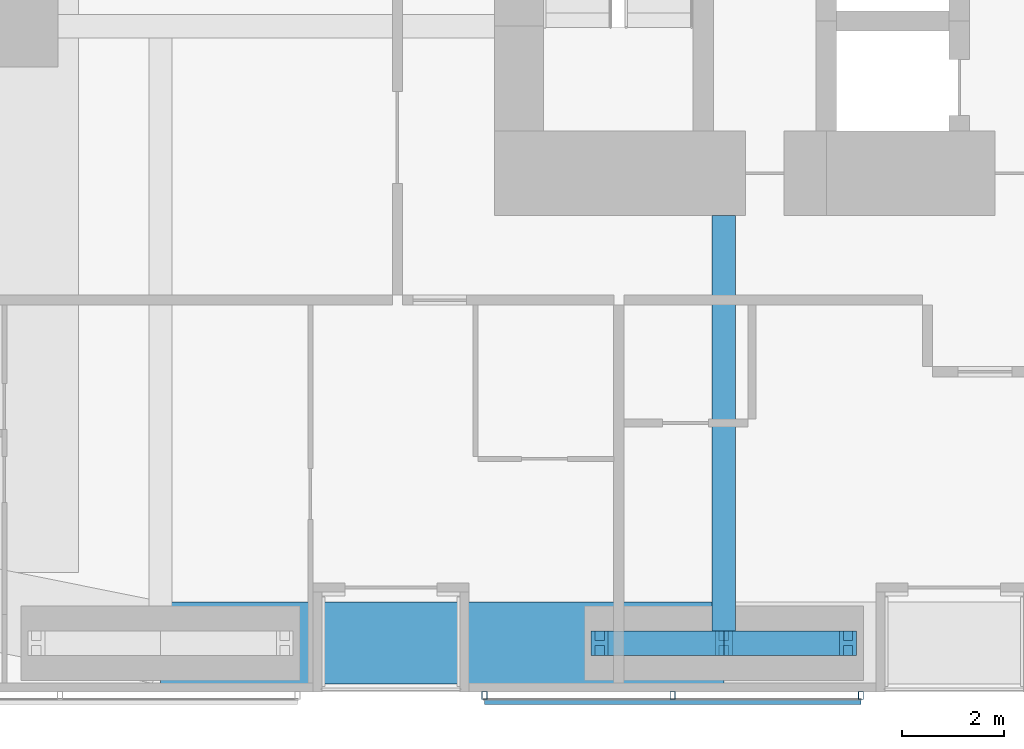
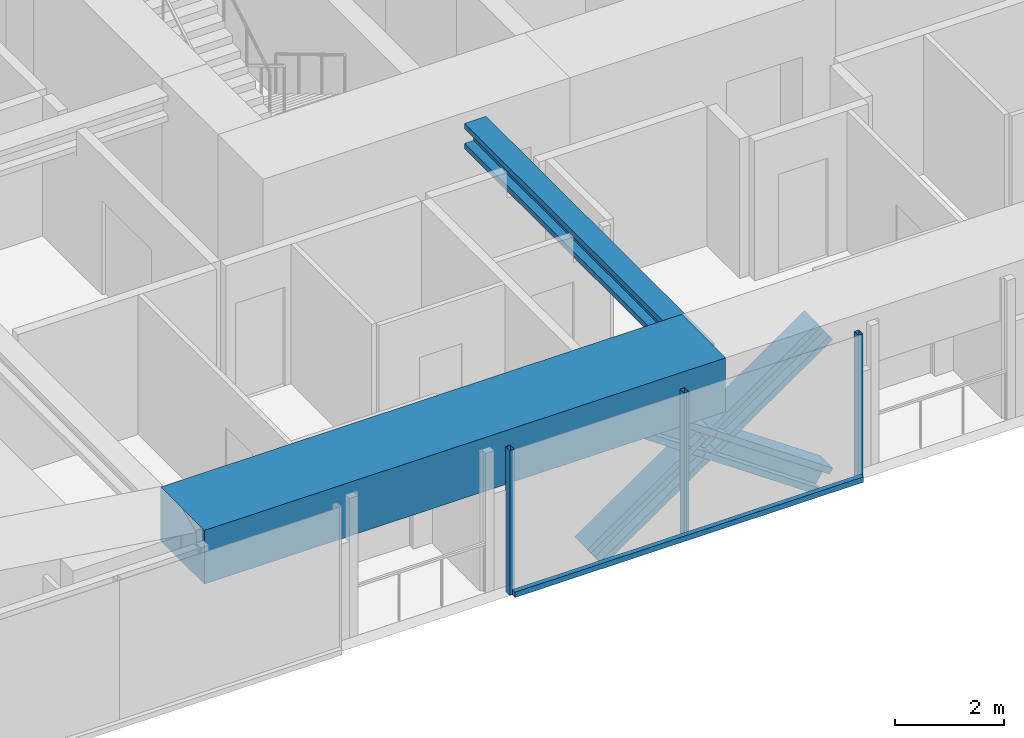
# One storey, part 4 of 23: 8 members, 2 beams, 1 element without a shape of its own.
"""IFC4 building model written with IfcOpenShell, lengths in metres."""

from ifc_helpers import new_model, si_unit, direction, frame, origin, origin_2d, place, context, subcontext, project, spatial, rectangle, hollow_rectangle, i_section, extrude, material, material_profile, profile_set, type_object, element, aggregate, save


model = new_model("IFC4")

# Units and contexts
model_context = context("Model", 3, precision=1e-05, world=origin(), true_north=direction((0.0, 1.0)))
body_context = subcontext(model_context, "Body", "Model", "MODEL_VIEW")
ifc_project = project(units=[si_unit("LENGTHUNIT", "METRE"), si_unit("AREAUNIT", "SQUARE_METRE"), si_unit("VOLUMEUNIT", "CUBIC_METRE"), si_unit("PLANEANGLEUNIT", "RADIAN"), si_unit("MASSUNIT", "GRAM", prefix="KILO")], contexts=[model_context])

# Site, building, storey
site_placement = place(None, origin())
site = spatial("IfcSite", under=ifc_project, at=site_placement, CompositionType="ELEMENT")
building_placement = place(site_placement, origin())
building = spatial("IfcBuilding", under=site, at=building_placement, Name="Jalousie Tower", CompositionType="ELEMENT")
storey_placement = place(building_placement, frame((0.0, 0.0, 41.10009765625)))
storey = spatial("IfcBuildingStorey", under=building, at=storey_placement, Name="L10", CompositionType="ELEMENT", Elevation=41.10009765625)

# Beam
ifc_material_1 = material(Name="Steel ASTM A992 Grade 50", Category="steel")
ifc_material_profile_1 = material_profile(ifc_material_1, i_section(OverallWidth=0.45458984375, OverallDepth=0.569091796875, WebThickness=0.077880859375, FlangeThickness=0.124755859375, at=origin_2d()), Name="W14X730")
ifc_profile_set_1 = profile_set([ifc_material_profile_1], Name="Steel ASTM A992 Grade 50")
beam_type_1 = type_object("IfcBeamType", Name="LEAN COLLECTOR W14X730", PredefinedType="BEAM", material=ifc_profile_set_1)
beam_1_placement = place(storey_placement, frame((24.0, 0.949951171875, 2.825439453125), z_axis=(0.0, 1.0, 0.0), x_axis=(-1.0, 0.0, 0.0)))
element("IfcBeam", 1, at=beam_1_placement, inside=storey, type_object=beam_type_1, Name="Lean collector under L11", PredefinedType="BEAM", context=body_context, shape_type="SweptSolid", body=[
    extrude(i_section(OverallWidth=0.45458984375, OverallDepth=0.569091796875, WebThickness=0.077880859375, FlangeThickness=0.124755859375, at=origin_2d()), origin(), (0.0, 0.0, 1.0), 8.35009765625),
])

# Members
ifc_material_2 = material(Name="Steel ASTM A992 Grade 50", Category="steel")
ifc_material_profile_2 = material_profile(ifc_material_2, i_section(OverallWidth=0.472412109375, OverallDepth=0.5791015625, WebThickness=0.094970703125, FlangeThickness=0.1298828125, at=origin_2d()), Name="W14X808")
ifc_profile_set_2 = profile_set([ifc_material_profile_2], Name="Steel ASTM A992 Grade 50")
member_type_1 = type_object("IfcMemberType", Name="PERIMETER BRACE W14X808", PredefinedType="BRACE", material=ifc_profile_set_2)
for number, where, z_axis, x_axis, name in (
    (2, (21.574951171875, 0.949951171875, -0.60009765625), (0.822800062329, 0.0, 0.568330940062), (0.0, 1.0, 0.0), "Perimeter brace 03 L10 part 1"),
    (3, (24.0, 0.949951171875, 1.074951171875), (0.822800062329, 0.0, 0.568330940062), (0.0, 1.0, 0.0), "Perimeter brace 03 L10 part 2"),
    (4, (26.425048828125, 0.949951171875, -0.60009765625), (-0.822800062329, 0.0, 0.568330940062), (0.0, -1.0, 0.0), "Perimeter brace 03 L10 part 3"),
    (5, (24.0, 0.949951171875, 1.074951171875), (-0.822800062329, 0.0, 0.568330940062), (0.0, -1.0, 0.0), "Perimeter brace 03 L10 part 4"),
):
    element("IfcMember", number, at=place(storey_placement, frame(where, z_axis=z_axis, x_axis=x_axis)), inside=storey, type_object=member_type_1, Name=name, PredefinedType="BRACE", context=body_context, shape_type="SweptSolid", body=[
        extrude(i_section(OverallWidth=0.472412109375, OverallDepth=0.5791015625, WebThickness=0.094970703125, FlangeThickness=0.1298828125, at=origin_2d()), origin(), (0.0, 0.0, 1.0), 2.947265625),
    ])

# Beam
ifc_material_3 = material(Name="Concrete f'c 40 MPa", Category="concrete")
ifc_material_profile_3 = material_profile(ifc_material_3, rectangle(XDim=1.60009765625, YDim=1.199951171875, at=origin_2d()), Name="RC 1600x1200")
ifc_profile_set_3 = profile_set([ifc_material_profile_3], Name="Concrete f'c 40 MPa")
beam_type_2 = type_object("IfcBeamType", Name="RC BEAM 1600x1200", PredefinedType="BEAM", material=ifc_profile_set_3)
beam_2_placement = place(storey_placement, frame((13.0, 0.949951171875, 2.75), z_axis=(1.0, 0.0, 0.0), x_axis=(0.0, 1.0, 0.0)))
element("IfcBeam", 6, at=beam_2_placement, inside=storey, type_object=beam_type_2, Name="Edge band beam 02-03 under L11", PredefinedType="BEAM", context=body_context, shape_type="SweptSolid", body=[
    extrude(rectangle(XDim=1.60009765625, YDim=1.199951171875, at=origin_2d()), origin(), (0.0, 0.0, 1.0), 11.0),
])

# Curtain wall, members
ifc_material_4 = material(Name="Perforated aluminium sheet", Category="aluminium")
curtain_wall_type = type_object("IfcCurtainWallType", Name="SOLAR SCREEN SS-1", PredefinedType="USERDEFINED", material=ifc_material_4)
curtain_wall_placement = place(storey_placement, origin())
curtain_wall = element("IfcCurtainWall", 7, at=curtain_wall_placement, inside=storey, type_object=curtain_wall_type, Name="Solar screen L10", ObjectType="SOLAR SCREEN SS-1", PredefinedType="USERDEFINED")
ifc_material_5 = material(Name="Steel ASTM A500 Grade C", Category="steel")
ifc_material_profile_4 = material_profile(ifc_material_5, hollow_rectangle(XDim=0.1015625, YDim=0.15234375, WallThickness=0.00634765625, at=origin_2d()), Name="HSS6X4X1/4")
ifc_profile_set_4 = profile_set([ifc_material_profile_4], Name="Steel ASTM A500 Grade C")
member_type_2 = type_object("IfcMemberType", Name="SOLAR SCREEN SS-1 MULLION", PredefinedType="MULLION", material=ifc_profile_set_4)
member_1_placement = place(storey_placement, frame((19.324951171875, -0.0712890625, -0.1201171875), z_axis=(0.0, 0.0, 1.0), x_axis=(1.0, 0.0, 0.0)))
member_1 = element("IfcMember", 8, at=member_1_placement, type_object=member_type_2, Name="SS1 post 1", PredefinedType="MULLION", context=body_context, shape_type="SweptSolid", body=[
    extrude(hollow_rectangle(XDim=0.1015625, YDim=0.15234375, WallThickness=0.00634765625, at=origin_2d()), origin(), (0.0, 0.0, 1.0), 3.22998046875),
])
member_2_placement = place(storey_placement, frame((23.0, -0.0712890625, -0.1201171875), z_axis=(0.0, 0.0, 1.0), x_axis=(1.0, 0.0, 0.0)))
member_2 = element("IfcMember", 9, at=member_2_placement, type_object=member_type_2, Name="SS1 post 2", PredefinedType="MULLION", context=body_context, shape_type="SweptSolid", body=[
    extrude(hollow_rectangle(XDim=0.1015625, YDim=0.15234375, WallThickness=0.00634765625, at=origin_2d()), origin(), (0.0, 0.0, 1.0), 3.22998046875),
])
member_3_placement = place(storey_placement, frame((26.675048828125, -0.0712890625, -0.1201171875), z_axis=(0.0, 0.0, 1.0), x_axis=(1.0, 0.0, 0.0)))
member_3 = element("IfcMember", 10, at=member_3_placement, type_object=member_type_2, Name="SS1 post 3", PredefinedType="MULLION", context=body_context, shape_type="SweptSolid", body=[
    extrude(hollow_rectangle(XDim=0.1015625, YDim=0.15234375, WallThickness=0.00634765625, at=origin_2d()), origin(), (0.0, 0.0, 1.0), 3.22998046875),
])
ifc_material_6 = material(Name="Extruded aluminium screen rail", Category="aluminium")
ifc_material_profile_5 = material_profile(ifc_material_6, rectangle(XDim=0.1015625, YDim=0.1201171875, at=origin_2d()), Name="RAIL 102x120")
ifc_profile_set_5 = profile_set([ifc_material_profile_5], Name="Extruded aluminium screen rail")
member_type_3 = type_object("IfcMemberType", Name="SOLAR SCREEN SS-1 TRANSOM", PredefinedType="USERDEFINED", material=ifc_profile_set_5)
member_4_placement = place(storey_placement, frame((19.324951171875, -0.1982421875, -0.06005859375), z_axis=(1.0, 0.0, 0.0), x_axis=(0.0, 1.0, 0.0)))
member_4 = element("IfcMember", 11, at=member_4_placement, type_object=member_type_3, Name="SS1 rail", ObjectType="TRANSOM", PredefinedType="USERDEFINED", context=body_context, shape_type="SweptSolid", body=[
    extrude(rectangle(XDim=0.1015625, YDim=0.1201171875, at=origin_2d()), origin(), (0.0, 0.0, 1.0), 7.35009765625),
])
aggregate(curtain_wall, [member_1, member_2, member_3, member_4])

save(model, "model.ifc")
